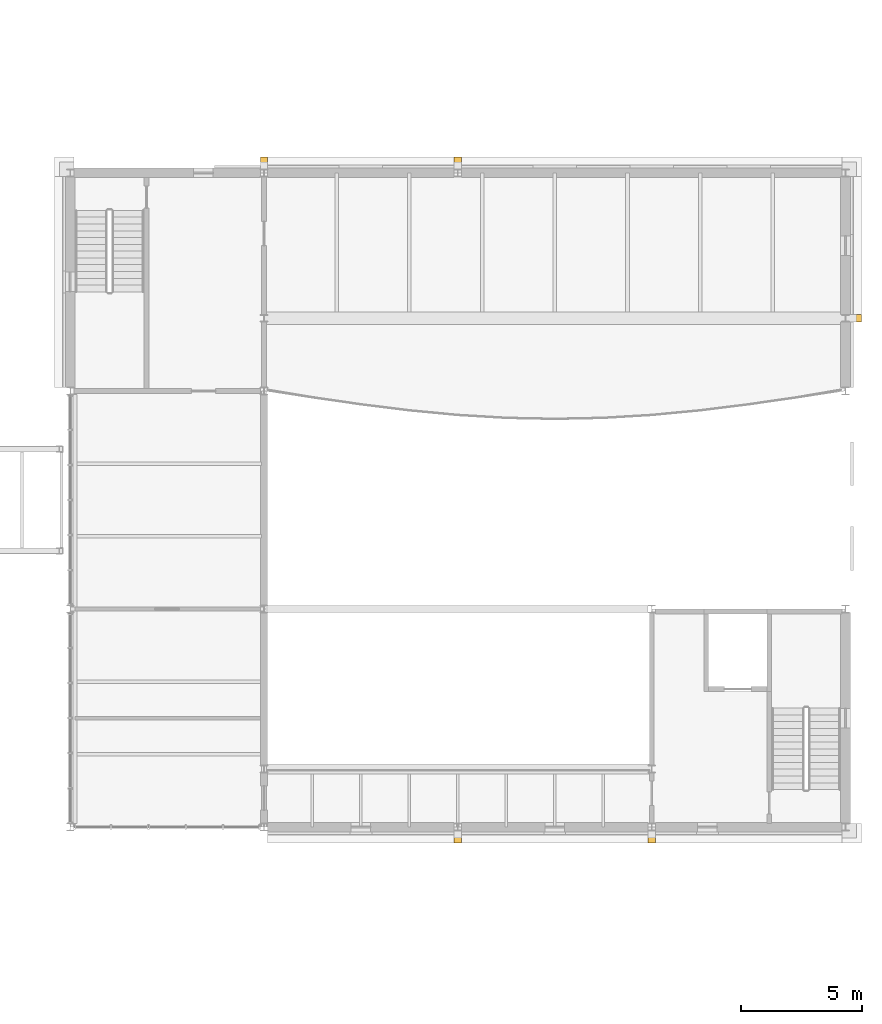
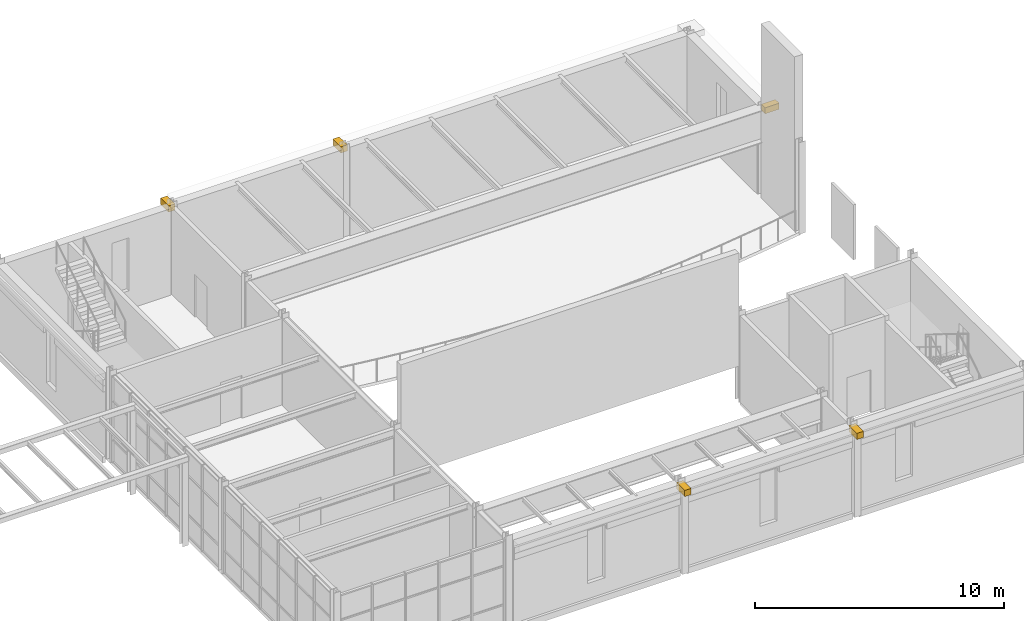
# One storey, part 153 of 153: 5 coverings.
"""IFC4 building model written with IfcOpenShell, lengths in metres."""

from ifc_helpers import new_model, si_unit, direction, frame, origin, origin_2d, place, context, subcontext, project, spatial, rectangle, extrude, material, layer, layer_set, type_object, element, save


model = new_model("IFC4")

# Units and contexts
model_context = context("Model", 3, precision=1e-05, world=origin(), true_north=direction((0.0, 1.0)))
body_context = subcontext(model_context, "Body", "Model", "MODEL_VIEW")
ifc_project = project(units=[si_unit("LENGTHUNIT", "METRE"), si_unit("AREAUNIT", "SQUARE_METRE"), si_unit("VOLUMEUNIT", "CUBIC_METRE"), si_unit("PLANEANGLEUNIT", "RADIAN"), si_unit("MASSUNIT", "GRAM", prefix="KILO")], contexts=[model_context])

# Site, building, storey
site_placement = place(None, origin())
site = spatial("IfcSite", under=ifc_project, at=site_placement, CompositionType="ELEMENT")
building_placement = place(site_placement, origin())
building = spatial("IfcBuilding", under=site, at=building_placement, Name="Kallimachos Central Library", CompositionType="ELEMENT")
storey_placement = place(building_placement, frame((0.0, 0.0, 5.39990234375)))
storey = spatial("IfcBuildingStorey", under=building, at=storey_placement, Name="L01", CompositionType="ELEMENT", Elevation=5.39990234375)

# Coverings
ifc_material = material(Name="Pentelic marble cornice", Category="masonry")
ifc_layer = layer(ifc_material, 0.449951171875)
ifc_layer_set = layer_set([ifc_layer], Name="Stone cornice 450")
covering_type = type_object("IfcCoveringType", Name="Stone cornice 450", PredefinedType="MOLDING", material=ifc_layer_set)
covering_placement = place(storey_placement, frame((170.324951171875, 108.0, 4.05029296875), z_axis=(0.0, 0.0, 1.0), x_axis=(1.0, 0.0, 0.0)))
element("IfcCovering", 1, at=covering_placement, inside=storey, type_object=covering_type, Name="Stone cornice 450 -L01-003", PredefinedType="MOLDING", context=body_context, shape_type="SweptSolid", body=[
    extrude(rectangle(XDim=0.64990234375, YDim=0.300048828125, at=origin_2d()), origin(), (0.0, 0.0, 1.0), 0.300048828125),
])
for number, where, z_axis, x_axis, name in (
    (2, (154.0, 86.675048828125, 3.9501953125), (0.0, 0.0, 1.0), (1.0, 0.0, 0.0), "Stone cornice 450 -L01-005"),
    (3, (162.0, 86.675048828125, 3.9501953125), (0.0, 0.0, 1.0), (1.0, 0.0, 0.0), "Stone cornice 450 -L01-006"),
    (4, (146.0, 114.324951171875, 3.9501953125), (0.0, 0.0, 1.0), (1.0, 0.0, 0.0), "Stone cornice 450 -L01-008"),
    (5, (154.0, 114.324951171875, 4.05029296875), (0.0, 0.0, 1.0), (1.0, 0.0, 0.0), "Stone cornice 450 -L01-009"),
):
    element("IfcCovering", number, at=place(storey_placement, frame(where, z_axis=z_axis, x_axis=x_axis)), inside=storey, type_object=covering_type, Name=name, PredefinedType="MOLDING", context=body_context, shape_type="SweptSolid", body=[
        extrude(rectangle(XDim=0.300048828125, YDim=0.64990234375, at=origin_2d()), origin(), (0.0, 0.0, 1.0), 0.300048828125),
    ])

save(model, "model.ifc")
